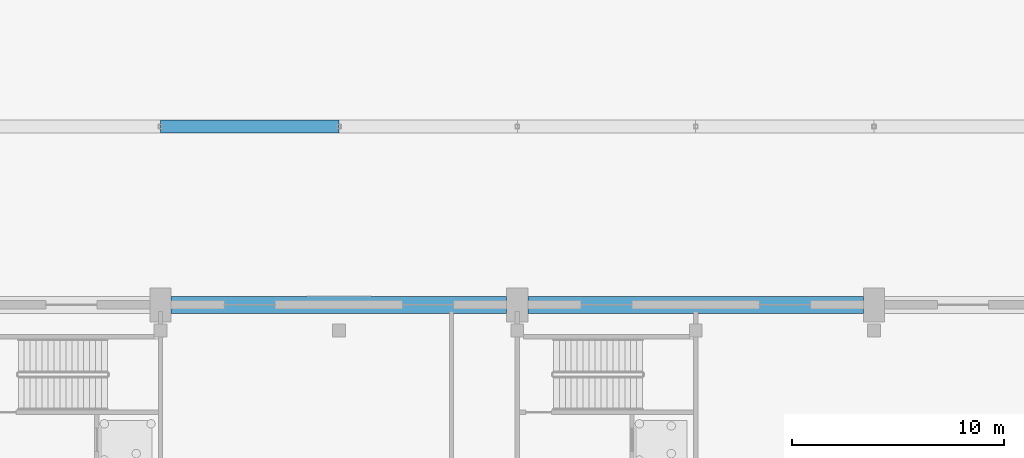
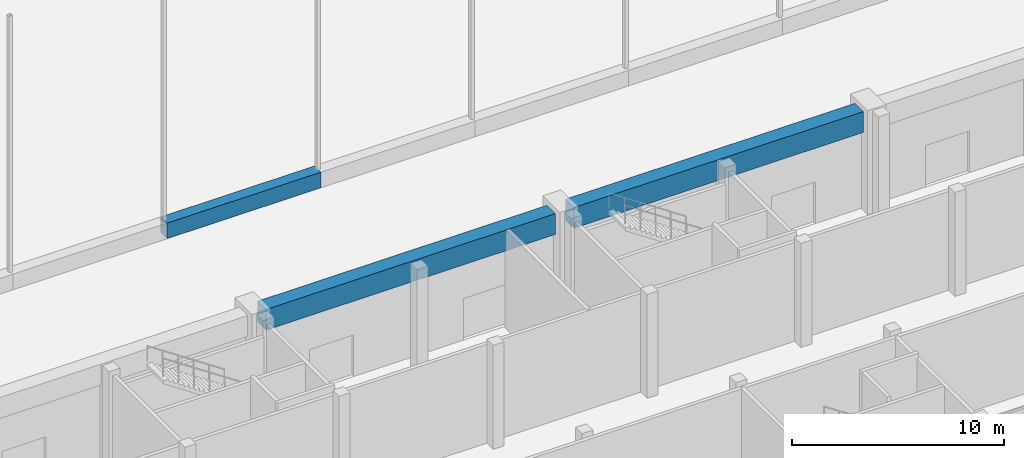
# One storey, part 38 of 210: 3 beams.
"""IFC4 building model written with IfcOpenShell, lengths in metres."""

from ifc_helpers import new_model, si_unit, direction, frame, origin, origin_2d, place, context, subcontext, project, spatial, rectangle, extrude, material, material_profile, profile_set, type_object, element, save


model = new_model("IFC4")

# Units and contexts
model_context = context("Model", 3, precision=1e-05, world=origin(), true_north=direction((0.0, 1.0)))
body_context = subcontext(model_context, "Body", "Model", "MODEL_VIEW")
ifc_project = project(units=[si_unit("LENGTHUNIT", "METRE"), si_unit("AREAUNIT", "SQUARE_METRE"), si_unit("VOLUMEUNIT", "CUBIC_METRE"), si_unit("PLANEANGLEUNIT", "RADIAN"), si_unit("MASSUNIT", "GRAM", prefix="KILO")], contexts=[model_context])

# Site, building, storey
site_placement = place(None, origin())
site = spatial("IfcSite", under=ifc_project, at=site_placement, CompositionType="ELEMENT")
building_placement = place(site_placement, origin())
building = spatial("IfcBuilding", under=site, at=building_placement, Name="Rain Tree Exposition and Congress Centre", CompositionType="ELEMENT")
storey_placement = place(building_placement, origin())
storey = spatial("IfcBuildingStorey", under=building, at=storey_placement, Name="L00", CompositionType="ELEMENT", Elevation=0.0)

# Beams
ifc_material_1 = material(Name="Precast concrete C50/60", Category="concrete")
ifc_material_profile_1 = material_profile(ifc_material_1, rectangle(XDim=0.60009765625, YDim=0.89990234375, at=origin_2d()), Name="RC 600x900")
ifc_profile_set_1 = profile_set([ifc_material_profile_1], Name="Precast concrete C50/60")
beam_type_1 = type_object("IfcBeamType", Name="Precast beam 600x900", PredefinedType="BEAM", material=ifc_profile_set_1)
beam_1_placement = place(storey_placement, frame((58.800048828125, 109.199951171875, 5.25), z_axis=(1.0, 0.0, 0.0), x_axis=(0.0, 1.0, 0.0)))
element("IfcBeam", 1, at=beam_1_placement, inside=storey, type_object=beam_type_1, Name="Gallery edge beam 6", PredefinedType="BEAM", context=body_context, shape_type="SweptSolid", body=[
    extrude(rectangle(XDim=0.60009765625, YDim=0.89990234375, at=origin_2d()), origin(), (0.0, 0.0, 1.0), 8.39990234375),
])
ifc_material_2 = material(Name="Precast concrete C50/60", Category="concrete")
ifc_material_profile_2 = material_profile(ifc_material_2, rectangle(XDim=0.800048828125, YDim=1.199951171875, at=origin_2d()), Name="RC 800x1200")
ifc_profile_set_2 = profile_set([ifc_material_profile_2], Name="Precast concrete C50/60")
beam_type_2 = type_object("IfcBeamType", Name="Precast beam 800x1200", PredefinedType="BEAM", material=ifc_profile_set_2)
beam_2_placement = place(storey_placement, frame((59.300048828125, 100.800048828125, 5.10009765625), z_axis=(1.0, 0.0, 0.0), x_axis=(0.0, 1.0, 0.0)))
element("IfcBeam", 2, at=beam_2_placement, inside=storey, type_object=beam_type_2, Name="Gallery perimeter beam 4", PredefinedType="BEAM", context=body_context, shape_type="SweptSolid", body=[
    extrude(rectangle(XDim=0.800048828125, YDim=1.199951171875, at=origin_2d()), origin(), (0.0, 0.0, 1.0), 15.800048828125),
])
beam_3_placement = place(storey_placement, frame((76.10009765625, 100.800048828125, 5.10009765625), z_axis=(1.0, 0.0, 0.0), x_axis=(0.0, 1.0, 0.0)))
element("IfcBeam", 3, at=beam_3_placement, inside=storey, type_object=beam_type_2, Name="Gallery perimeter beam 5", PredefinedType="BEAM", context=body_context, shape_type="SweptSolid", body=[
    extrude(rectangle(XDim=0.800048828125, YDim=1.199951171875, at=origin_2d()), origin(), (0.0, 0.0, 1.0), 15.7998046875),
])

save(model, "model.ifc")
